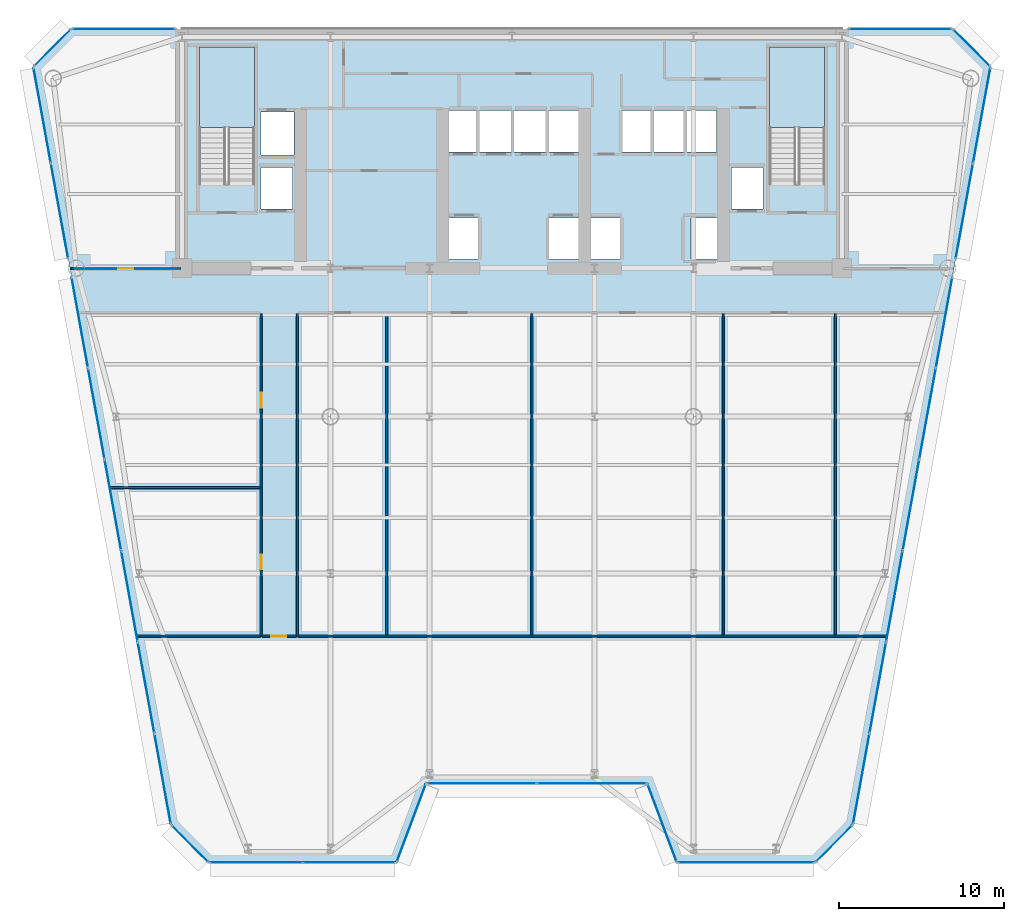
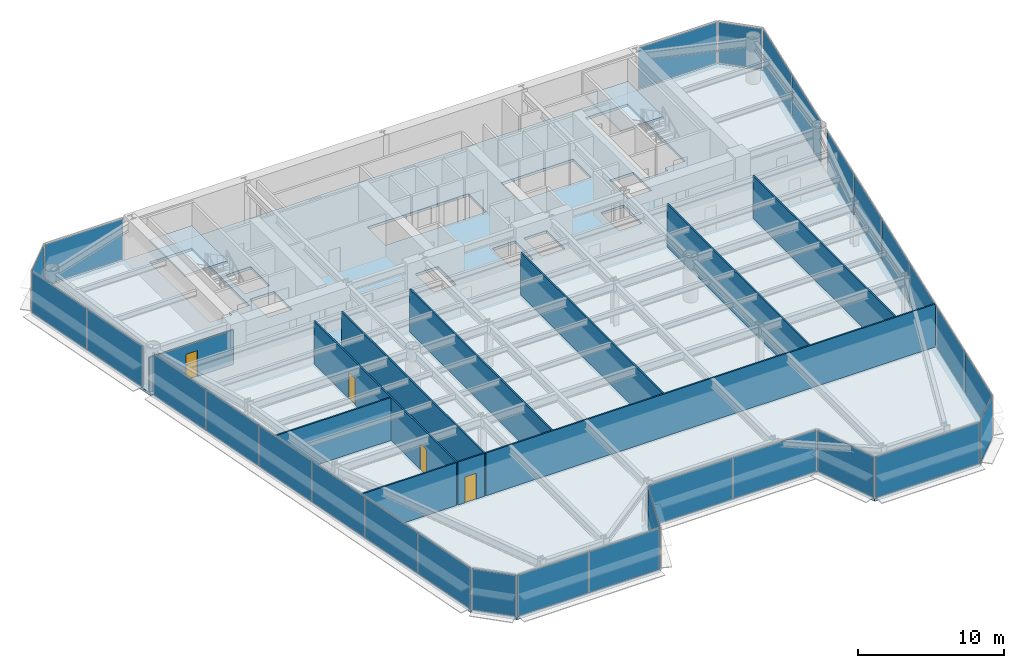
# One storey, part 7 of 14: 29 plates, 11 walls, 4 doors, 3 slabs, 4 openings, 17 elements without a shape of their own.
"""IFC4 building model written with IfcOpenShell, lengths in metres."""

from ifc_helpers import new_model, si_unit, direction, frame, frame_2d, origin, origin_2d, place, context, subcontext, project, spatial, polyline, rectangle, outline, extrude, source, transform, mapped, material, layer, layer_set, type_object, element, fill, aggregate, save


model = new_model("IFC4")

# Units and contexts
model_context = context("Model", 3, precision=1e-05, world=origin(), true_north=direction((0.0, 1.0)))
body_context = subcontext(model_context, "Body", "Model", "MODEL_VIEW")
ifc_project = project(units=[si_unit("LENGTHUNIT", "METRE"), si_unit("AREAUNIT", "SQUARE_METRE"), si_unit("VOLUMEUNIT", "CUBIC_METRE"), si_unit("PLANEANGLEUNIT", "RADIAN"), si_unit("MASSUNIT", "GRAM", prefix="KILO")], contexts=[model_context])

# Site, building, storey
site_placement = place(None, origin())
site = spatial("IfcSite", under=ifc_project, at=site_placement, CompositionType="ELEMENT")
building_placement = place(site_placement, origin())
building = spatial("IfcBuilding", under=site, at=building_placement, Name="Vaeldorn Concourse Tower", CompositionType="ELEMENT")
storey_placement = place(building_placement, frame((0.0, 0.0, 137.60009765625)))
storey = spatial("IfcBuildingStorey", under=building, at=storey_placement, Name="L35", CompositionType="ELEMENT", Elevation=137.60009765625)

# Stair, slab
ifc_material_1 = material(Name="Precast concrete C40/50", Category="concrete")
stair_type = type_object("IfcStairType", Name="STR-DOG-24x158", PredefinedType="HALF_TURN_STAIR", material=ifc_material_1)
stair_1_placement = place(storey_placement, origin())
stair_1 = element("IfcStair", 1, at=stair_1_placement, inside=storey, type_object=stair_type, Name="L35 West Core Exit Stair ST-1", PredefinedType="HALF_TURN_STAIR")
ifc_material_2 = material(Name="Concrete C40/50", Category="concrete")
ifc_layer_1 = layer(ifc_material_2, 0.199951171875)
ifc_layer_set_1 = layer_set([ifc_layer_1], Name="Concrete C40/50")
slab_type_1 = type_object("IfcSlabType", Name="SL-STAIR-LANDING", PredefinedType="LANDING", material=ifc_layer_set_1)
slab_1_placement = place(storey_placement, frame((0.0, 0.0, 1.699951171875)))
slab_1 = element("IfcSlab", 2, at=slab_1_placement, type_object=slab_type_1, Name="ST-1 landing 1", PredefinedType="LANDING", context=body_context, shape_type="SweptSolid", body=[
    extrude(outline(polyline([(18.39990234375, 45.010009765625), (18.39990234375, 49.89990234375), (15.050048828125, 49.89990234375), (15.050048828125, 45.010009765625), (18.39990234375, 45.010009765625)])), origin(), (0.0, 0.0, 1.0), 0.199951171875),
])
aggregate(stair_1, [slab_1])

stair_2_placement = place(storey_placement, origin())
stair_2 = element("IfcStair", 3, at=stair_2_placement, inside=storey, type_object=stair_type, Name="L35 East Core Exit Stair ST-2", PredefinedType="HALF_TURN_STAIR")
slab_2_placement = place(storey_placement, frame((0.0, 0.0, 1.699951171875)))
slab_2 = element("IfcSlab", 4, at=slab_2_placement, type_object=slab_type_1, Name="ST-2 landing 1", PredefinedType="LANDING", context=body_context, shape_type="SweptSolid", body=[
    extrude(outline(polyline([(52.949951171875, 45.010009765625), (52.949951171875, 49.89990234375), (49.60009765625, 49.89990234375), (49.60009765625, 45.010009765625), (52.949951171875, 45.010009765625)])), origin(), (0.0, 0.0, 1.0), 0.199951171875),
])
aggregate(stair_2, [slab_2])

# Slab
ifc_layer_2 = layer(ifc_material_2, 0.219970703125)
ifc_layer_set_2 = layer_set([ifc_layer_2], Name="Concrete C40/50")
slab_type_2 = type_object("IfcSlabType", Name="SL-TYP-220", PredefinedType="FLOOR", material=ifc_layer_set_2)
slab_3_placement = place(storey_placement, frame((0.0, 0.0, -0.22021484375)))
element("IfcSlab", 5, at=slab_3_placement, inside=storey, type_object=slab_type_2, Name="Structural Floor Slab L35", PredefinedType="FLOOR", context=body_context, shape_type="SweptSolid", body=[
    extrude(outline(polyline([(15.635986328125, 0.478271484375), (27.0, 0.478271484375), (28.800048828125, 5.2783203125), (42.199951171875, 5.2783203125), (44.0, 0.478271484375), (52.364013671875, 0.478271484375), (54.663818359375, 2.7783203125), (63.0, 48.699951171875), (60.699951171875, 51.0), (7.300048828125, 51.0), (5.0, 48.699951171875), (13.336181640625, 2.7783203125), (15.635986328125, 0.478271484375)]), holes=[polyline([(18.39990234375, 42.0), (18.39990234375, 49.89990234375), (15.050048828125, 49.89990234375), (15.050048828125, 41.60009765625), (16.800048828125, 41.60009765625), (16.800048828125, 42.0), (18.39990234375, 42.0)]), polyline([(52.949951171875, 42.0), (52.949951171875, 49.89990234375), (49.60009765625, 49.89990234375), (49.60009765625, 41.60009765625), (51.35009765625, 41.60009765625), (51.35009765625, 42.0), (52.949951171875, 42.0)]), polyline([(30.14990234375, 37.050048828125), (31.949951171875, 37.050048828125), (31.949951171875, 39.550048828125), (30.14990234375, 39.550048828125), (30.14990234375, 37.050048828125)]), polyline([(36.25, 37.050048828125), (38.050048828125, 37.050048828125), (38.050048828125, 39.550048828125), (36.25, 39.550048828125), (36.25, 37.050048828125)]), polyline([(30.10009765625, 43.550048828125), (38.10009765625, 43.550048828125), (38.10009765625, 46.050048828125), (30.10009765625, 46.050048828125), (30.10009765625, 43.550048828125)]), polyline([(38.75, 37.050048828125), (40.550048828125, 37.050048828125), (40.550048828125, 39.550048828125), (38.75, 39.550048828125), (38.75, 37.050048828125)]), polyline([(44.85009765625, 37.050048828125), (46.64990234375, 37.050048828125), (46.64990234375, 39.550048828125), (44.85009765625, 39.550048828125), (44.85009765625, 37.050048828125)]), polyline([(40.699951171875, 43.550048828125), (46.39990234375, 43.550048828125), (46.39990234375, 46.050048828125), (40.699951171875, 46.050048828125), (40.699951171875, 43.550048828125)]), polyline([(18.800048828125, 43.35009765625), (20.800048828125, 43.35009765625), (20.800048828125, 45.949951171875), (18.800048828125, 45.949951171875), (18.800048828125, 43.35009765625)]), polyline([(18.800048828125, 40.10009765625), (20.699951171875, 40.10009765625), (20.699951171875, 42.60009765625), (18.800048828125, 42.60009765625), (18.800048828125, 40.10009765625)]), polyline([(47.300048828125, 40.10009765625), (49.199951171875, 40.10009765625), (49.199951171875, 42.60009765625), (47.300048828125, 42.60009765625), (47.300048828125, 40.10009765625)])]), origin(), (0.0, 0.0, 1.0), 0.22021484375),
])

# Curtain wall, plate
ifc_material_3 = material(Name="Anodised Bronze Aluminium", Category="aluminium")
ifc_layer_3 = layer(ifc_material_3, 0.199951171875)
ifc_layer_set_3 = layer_set([ifc_layer_3], Name="Anodised Bronze Aluminium")
curtain_wall_type = type_object("IfcCurtainWallType", Name="CW-SYS-02", PredefinedType="NOTDEFINED", material=ifc_layer_set_3)
curtain_wall_1_placement = place(storey_placement, origin())
curtain_wall_1 = element("IfcCurtainWall", 6, at=curtain_wall_1_placement, inside=storey, type_object=curtain_wall_type, Name="Unitised Curtain Wall CW-L35-E02-1", PredefinedType="NOTDEFINED")
ifc_material_4 = material(Name="Bronze Tinted Low-E Insulated Glass", Category="glass")
ifc_layer_4 = layer(ifc_material_4, 0.031982421875)
ifc_layer_set_4 = layer_set([ifc_layer_4], Name="Bronze Tinted Low-E Insulated Glass")
plate_type = type_object("IfcPlateType", Name="CWP-VISION-32", PredefinedType="CURTAIN_PANEL", material=ifc_layer_set_4)
shared_shape_1 = source(origin(), body_context, "Body", "SweptSolid", [
    extrude(rectangle(XDim=4.976318359375, YDim=0.031982421875, at=origin_2d()), origin(), (0.0, 0.0, 1.0), 3.429931640625),
])
plate_1_placement = place(storey_placement, frame((27.89990234375, 2.878173828125, 0.07470703125), z_axis=(0.0, 0.0, 1.0), x_axis=(0.351123441595, 0.936329177566, 0.0)))
plate_1 = element("IfcPlate", 7, at=plate_1_placement, type_object=plate_type, Name="CW-02 panel 1.1", PredefinedType="CURTAIN_PANEL", context=body_context, shape_type="MappedRepresentation", body=[
    mapped(shared_shape_1, transform((0.0, 0.0, 0.0), scale=1.0)),
])
aggregate(curtain_wall_1, [plate_1])

curtain_wall_2_placement = place(storey_placement, origin())
curtain_wall_2 = element("IfcCurtainWall", 8, at=curtain_wall_2_placement, inside=storey, type_object=curtain_wall_type, Name="Unitised Curtain Wall CW-L35-E04-1", PredefinedType="NOTDEFINED")
plate_2_placement = place(storey_placement, frame((43.10009765625, 2.878173828125, 0.07470703125), z_axis=(0.0, 0.0, 1.0), x_axis=(0.351123441595, -0.936329177566, 0.0)))
plate_2 = element("IfcPlate", 9, at=plate_2_placement, type_object=plate_type, Name="CW-02 panel 1.1", PredefinedType="CURTAIN_PANEL", context=body_context, shape_type="MappedRepresentation", body=[
    mapped(shared_shape_1, transform((0.0, 0.0, 0.0), scale=1.0)),
])
aggregate(curtain_wall_2, [plate_2])

# Curtain wall, plates
curtain_wall_3_placement = place(storey_placement, origin())
curtain_wall_3 = element("IfcCurtainWall", 10, at=curtain_wall_3_placement, inside=storey, type_object=curtain_wall_type, Name="Unitised Curtain Wall CW-L35-E03-1", PredefinedType="NOTDEFINED")
shared_shape_2 = source(origin(), body_context, "Body", "SweptSolid", [
    extrude(rectangle(XDim=6.58740234375, YDim=0.031982421875, at=origin_2d()), origin(), (0.0, 0.0, 1.0), 3.429931640625),
])
plate_3_placement = place(storey_placement, frame((32.168701171875, 5.2783203125, 0.07470703125), z_axis=(0.0, 0.0, 1.0), x_axis=(1.0, 0.0, 0.0)))
plate_3 = element("IfcPlate", 11, at=plate_3_placement, type_object=plate_type, Name="CW-02 panel 1.1", PredefinedType="CURTAIN_PANEL", context=body_context, shape_type="MappedRepresentation", body=[
    mapped(shared_shape_2, transform((0.0, 0.0, 0.0), scale=1.0)),
])
plate_4_placement = place(storey_placement, frame((38.831298828125, 5.2783203125, 0.07470703125), z_axis=(0.0, 0.0, 1.0), x_axis=(1.0, 0.0, 0.0)))
plate_4 = element("IfcPlate", 12, at=plate_4_placement, type_object=plate_type, Name="CW-02 panel 2.1", PredefinedType="CURTAIN_PANEL", context=body_context, shape_type="MappedRepresentation", body=[
    mapped(shared_shape_2, transform((0.0, 0.0, 0.0), scale=1.0)),
])
aggregate(curtain_wall_3, [plate_3, plate_4])

# Curtain wall, plate
curtain_wall_4_placement = place(storey_placement, origin())
curtain_wall_4 = element("IfcCurtainWall", 13, at=curtain_wall_4_placement, inside=storey, type_object=curtain_wall_type, Name="Unitised Curtain Wall CW-L35-E06-1", PredefinedType="NOTDEFINED")
shared_shape_3 = source(origin(), body_context, "Body", "SweptSolid", [
    extrude(rectangle(XDim=3.102783203125, YDim=0.031982421875, at=origin_2d()), origin(), (0.0, 0.0, 1.0), 3.429931640625),
])
plate_5_placement = place(storey_placement, frame((53.513916015625, 1.628173828125, 0.07470703125), z_axis=(0.0, 0.0, 1.0), x_axis=(0.707106781187, 0.707106781187, 0.0)))
plate_5 = element("IfcPlate", 14, at=plate_5_placement, type_object=plate_type, Name="CW-02 panel 1.1", PredefinedType="CURTAIN_PANEL", context=body_context, shape_type="MappedRepresentation", body=[
    mapped(shared_shape_3, transform((0.0, 0.0, 0.0), scale=1.0)),
])
aggregate(curtain_wall_4, [plate_5])

curtain_wall_5_placement = place(storey_placement, origin())
curtain_wall_5 = element("IfcCurtainWall", 15, at=curtain_wall_5_placement, inside=storey, type_object=curtain_wall_type, Name="Unitised Curtain Wall CW-L35-E08-1", PredefinedType="NOTDEFINED")
plate_6_placement = place(storey_placement, frame((61.85009765625, 49.85009765625, 0.07470703125), z_axis=(0.0, 0.0, 1.0), x_axis=(-0.707106781187, 0.707106781187, 0.0)))
plate_6 = element("IfcPlate", 16, at=plate_6_placement, type_object=plate_type, Name="CW-02 panel 1.1", PredefinedType="CURTAIN_PANEL", context=body_context, shape_type="MappedRepresentation", body=[
    mapped(shared_shape_3, transform((0.0, 0.0, 0.0), scale=1.0)),
])
aggregate(curtain_wall_5, [plate_6])

curtain_wall_6_placement = place(storey_placement, origin())
curtain_wall_6 = element("IfcCurtainWall", 17, at=curtain_wall_6_placement, inside=storey, type_object=curtain_wall_type, Name="Unitised Curtain Wall CW-L35-E10-1", PredefinedType="NOTDEFINED")
plate_7_placement = place(storey_placement, frame((6.14990234375, 49.85009765625, 0.07470703125), z_axis=(0.0, 0.0, 1.0), x_axis=(-0.707106781187, -0.707106781187, 0.0)))
plate_7 = element("IfcPlate", 18, at=plate_7_placement, type_object=plate_type, Name="CW-02 panel 1.1", PredefinedType="CURTAIN_PANEL", context=body_context, shape_type="MappedRepresentation", body=[
    mapped(shared_shape_3, transform((0.0, 0.0, 0.0), scale=1.0)),
])
aggregate(curtain_wall_6, [plate_7])

curtain_wall_7_placement = place(storey_placement, origin())
curtain_wall_7 = element("IfcCurtainWall", 19, at=curtain_wall_7_placement, inside=storey, type_object=curtain_wall_type, Name="Unitised Curtain Wall CW-L35-E12-1", PredefinedType="NOTDEFINED")
plate_8_placement = place(storey_placement, frame((14.486083984375, 1.628173828125, 0.07470703125), z_axis=(0.0, 0.0, 1.0), x_axis=(0.707106781187, -0.707106781187, 0.0)))
plate_8 = element("IfcPlate", 20, at=plate_8_placement, type_object=plate_type, Name="CW-02 panel 1.1", PredefinedType="CURTAIN_PANEL", context=body_context, shape_type="MappedRepresentation", body=[
    mapped(shared_shape_3, transform((0.0, 0.0, 0.0), scale=1.0)),
])
aggregate(curtain_wall_7, [plate_8])

# Curtain wall, plates
curtain_wall_8_placement = place(storey_placement, origin())
curtain_wall_8 = element("IfcCurtainWall", 21, at=curtain_wall_8_placement, inside=storey, type_object=curtain_wall_type, Name="Unitised Curtain Wall CW-L35-E01-1", PredefinedType="NOTDEFINED")
shared_shape_4 = source(origin(), body_context, "Body", "SweptSolid", [
    extrude(rectangle(XDim=5.5693359375, YDim=0.031982421875, at=origin_2d()), origin(), (0.0, 0.0, 1.0), 3.429931640625),
])
plate_9_placement = place(storey_placement, frame((18.495849609375, 0.478271484375, 0.07470703125), z_axis=(0.0, 0.0, 1.0), x_axis=(1.0, 0.0, 0.0)))
plate_9 = element("IfcPlate", 22, at=plate_9_placement, type_object=plate_type, Name="CW-02 panel 1.1", PredefinedType="CURTAIN_PANEL", context=body_context, shape_type="MappedRepresentation", body=[
    mapped(shared_shape_4, transform((0.0, 0.0, 0.0), scale=1.0)),
])
plate_10_placement = place(storey_placement, frame((24.140380859375, 0.478271484375, 0.07470703125), z_axis=(0.0, 0.0, 1.0), x_axis=(1.0, 0.0, 0.0)))
plate_10 = element("IfcPlate", 23, at=plate_10_placement, type_object=plate_type, Name="CW-02 panel 2.1", PredefinedType="CURTAIN_PANEL", context=body_context, shape_type="MappedRepresentation", body=[
    mapped(shared_shape_4, transform((0.0, 0.0, 0.0), scale=1.0)),
])
aggregate(curtain_wall_8, [plate_9, plate_10])

# Curtain wall, plate
curtain_wall_9_placement = place(storey_placement, origin())
curtain_wall_9 = element("IfcCurtainWall", 24, at=curtain_wall_9_placement, inside=storey, type_object=curtain_wall_type, Name="Unitised Curtain Wall CW-L35-E05-1", PredefinedType="NOTDEFINED")
shared_shape_5 = source(origin(), body_context, "Body", "SweptSolid", [
    extrude(rectangle(XDim=8.2138671875, YDim=0.031982421875, at=origin_2d()), origin(), (0.0, 0.0, 1.0), 3.429931640625),
])
plate_11_placement = place(storey_placement, frame((48.181884765625, 0.478271484375, 0.07470703125), z_axis=(0.0, 0.0, 1.0), x_axis=(1.0, 0.0, 0.0)))
plate_11 = element("IfcPlate", 25, at=plate_11_placement, type_object=plate_type, Name="CW-02 panel 1.1", PredefinedType="CURTAIN_PANEL", context=body_context, shape_type="MappedRepresentation", body=[
    mapped(shared_shape_5, transform((0.0, 0.0, 0.0), scale=1.0)),
])
aggregate(curtain_wall_9, [plate_11])

curtain_wall_10_placement = place(storey_placement, origin())
curtain_wall_10 = element("IfcCurtainWall", 26, at=curtain_wall_10_placement, inside=storey, type_object=curtain_wall_type, Name="Unitised Curtain Wall CW-L35-E09-1", PredefinedType="NOTDEFINED")
shared_shape_6 = source(origin(), body_context, "Body", "SweptSolid", [
    extrude(rectangle(XDim=6.179931640625, YDim=0.031982421875, at=origin_2d()), origin(), (0.0, 0.0, 1.0), 3.429931640625),
])
plate_12_placement = place(storey_placement, frame((57.534912109375, 51.0, 0.07470703125), z_axis=(0.0, 0.0, 1.0), x_axis=(-1.0, 0.0, 0.0)))
plate_12 = element("IfcPlate", 27, at=plate_12_placement, type_object=plate_type, Name="CW-02 panel 1.1", PredefinedType="CURTAIN_PANEL", context=body_context, shape_type="MappedRepresentation", body=[
    mapped(shared_shape_6, transform((0.0, 0.0, 0.0), scale=1.0)),
])
aggregate(curtain_wall_10, [plate_12])

curtain_wall_11_placement = place(storey_placement, origin())
curtain_wall_11 = element("IfcCurtainWall", 28, at=curtain_wall_11_placement, inside=storey, type_object=curtain_wall_type, Name="Unitised Curtain Wall CW-L35-E09-2", PredefinedType="NOTDEFINED")
plate_13_placement = place(storey_placement, frame((10.465087890625, 51.0, 0.07470703125), z_axis=(0.0, 0.0, 1.0), x_axis=(-1.0, 0.0, 0.0)))
plate_13 = element("IfcPlate", 29, at=plate_13_placement, type_object=plate_type, Name="CW-02 panel 1.1", PredefinedType="CURTAIN_PANEL", context=body_context, shape_type="MappedRepresentation", body=[
    mapped(shared_shape_6, transform((0.0, 0.0, 0.0), scale=1.0)),
])
aggregate(curtain_wall_11, [plate_13])

# Curtain wall, plates
curtain_wall_12_placement = place(storey_placement, origin())
curtain_wall_12 = element("IfcCurtainWall", 30, at=curtain_wall_12_placement, inside=storey, type_object=curtain_wall_type, Name="Unitised Curtain Wall CW-L35-E07-2", PredefinedType="NOTDEFINED")
shared_shape_7 = source(origin(), body_context, "Body", "SweptSolid", [
    extrude(rectangle(XDim=5.823974609375, YDim=0.031982421875, at=origin_2d()), origin(), (0.0, 0.0, 1.0), 3.429931640625),
])
plate_14_placement = place(storey_placement, frame((61.412841796875, 39.95703125, 0.07470703125), z_axis=(0.0, 0.0, 1.0), x_axis=(0.178608228695, 0.983920271487, 0.0)))
plate_14 = element("IfcPlate", 31, at=plate_14_placement, type_object=plate_type, Name="CW-02 panel 1.1", PredefinedType="CURTAIN_PANEL", context=body_context, shape_type="MappedRepresentation", body=[
    mapped(shared_shape_7, transform((0.0, 0.0, 0.0), scale=1.0)),
])
plate_15_placement = place(storey_placement, frame((62.466552734375, 45.760986328125, 0.07470703125), z_axis=(0.0, 0.0, 1.0), x_axis=(0.178608228695, 0.983920271487, 0.0)))
plate_15 = element("IfcPlate", 32, at=plate_15_placement, type_object=plate_type, Name="CW-02 panel 2.1", PredefinedType="CURTAIN_PANEL", context=body_context, shape_type="MappedRepresentation", body=[
    mapped(shared_shape_7, transform((0.0, 0.0, 0.0), scale=1.0)),
])
aggregate(curtain_wall_12, [plate_14, plate_15])

curtain_wall_13_placement = place(storey_placement, origin())
curtain_wall_13 = element("IfcCurtainWall", 33, at=curtain_wall_13_placement, inside=storey, type_object=curtain_wall_type, Name="Unitised Curtain Wall CW-L35-E11-1", PredefinedType="NOTDEFINED")
plate_16_placement = place(storey_placement, frame((5.533447265625, 45.760986328125, 0.07470703125), z_axis=(0.0, 0.0, 1.0), x_axis=(0.178608228695, -0.983920271487, 0.0)))
plate_16 = element("IfcPlate", 34, at=plate_16_placement, type_object=plate_type, Name="CW-02 panel 1.1", PredefinedType="CURTAIN_PANEL", context=body_context, shape_type="MappedRepresentation", body=[
    mapped(shared_shape_7, transform((0.0, 0.0, 0.0), scale=1.0)),
])
plate_17_placement = place(storey_placement, frame((6.587158203125, 39.95703125, 0.07470703125), z_axis=(0.0, 0.0, 1.0), x_axis=(0.178608228695, -0.983920271487, 0.0)))
plate_17 = element("IfcPlate", 35, at=plate_17_placement, type_object=plate_type, Name="CW-02 panel 2.1", PredefinedType="CURTAIN_PANEL", context=body_context, shape_type="MappedRepresentation", body=[
    mapped(shared_shape_7, transform((0.0, 0.0, 0.0), scale=1.0)),
])
aggregate(curtain_wall_13, [plate_16, plate_17])

curtain_wall_14_placement = place(storey_placement, origin())
curtain_wall_14 = element("IfcCurtainWall", 36, at=curtain_wall_14_placement, inside=storey, type_object=curtain_wall_type, Name="Unitised Curtain Wall CW-L35-E07-1", PredefinedType="NOTDEFINED")
shared_shape_8 = source(origin(), body_context, "Body", "SweptSolid", [
    extrude(rectangle(XDim=5.511962890625, YDim=0.031982421875, at=origin_2d()), origin(), (0.0, 0.0, 1.0), 3.429931640625),
])
plate_18_placement = place(storey_placement, frame((55.16943359375, 5.563720703125, 0.07470703125), z_axis=(0.0, 0.0, 1.0), x_axis=(0.178608495197, 0.983920223109, 0.0)))
plate_18 = element("IfcPlate", 37, at=plate_18_placement, type_object=plate_type, Name="CW-02 panel 1.1", PredefinedType="CURTAIN_PANEL", context=body_context, shape_type="MappedRepresentation", body=[
    mapped(shared_shape_8, transform((0.0, 0.0, 0.0), scale=1.0)),
])
plate_19_placement = place(storey_placement, frame((60.185546875, 33.196533203125, 0.07470703125), z_axis=(0.0, 0.0, 1.0), x_axis=(0.178608495197, 0.983920223109, 0.0)))
plate_19 = element("IfcPlate", 38, at=plate_19_placement, type_object=plate_type, Name="CW-02 panel 6.1", PredefinedType="CURTAIN_PANEL", context=body_context, shape_type="MappedRepresentation", body=[
    mapped(shared_shape_8, transform((0.0, 0.0, 0.0), scale=1.0)),
])

curtain_wall_15_placement = place(storey_placement, origin())
curtain_wall_15 = element("IfcCurtainWall", 39, at=curtain_wall_15_placement, inside=storey, type_object=curtain_wall_type, Name="Unitised Curtain Wall CW-L35-E11-2", PredefinedType="NOTDEFINED")
plate_20_placement = place(storey_placement, frame((7.814453125, 33.196533203125, 0.07470703125), z_axis=(0.0, 0.0, 1.0), x_axis=(0.178608495197, -0.983920223109, 0.0)))
plate_20 = element("IfcPlate", 40, at=plate_20_placement, type_object=plate_type, Name="CW-02 panel 1.1", PredefinedType="CURTAIN_PANEL", context=body_context, shape_type="MappedRepresentation", body=[
    mapped(shared_shape_8, transform((0.0, 0.0, 0.0), scale=1.0)),
])
plate_21_placement = place(storey_placement, frame((12.83056640625, 5.563720703125, 0.07470703125), z_axis=(0.0, 0.0, 1.0), x_axis=(0.178608495197, -0.983920223109, 0.0)))
plate_21 = element("IfcPlate", 41, at=plate_21_placement, type_object=plate_type, Name="CW-02 panel 6.1", PredefinedType="CURTAIN_PANEL", context=body_context, shape_type="MappedRepresentation", body=[
    mapped(shared_shape_8, transform((0.0, 0.0, 0.0), scale=1.0)),
])

# Plate
shared_shape_9 = source(origin(), body_context, "Body", "SweptSolid", [
    extrude(rectangle(XDim=5.54931640625, YDim=0.031982421875, at=origin_2d()), origin(), (0.0, 0.0, 1.0), 3.429931640625),
])
plate_22_placement = place(storey_placement, frame((56.170654296875, 11.0791015625, 0.07470703125), z_axis=(0.0, 0.0, 1.0), x_axis=(0.178608495197, 0.983920223109, 0.0)))
plate_22 = element("IfcPlate", 42, at=plate_22_placement, type_object=plate_type, Name="CW-02 panel 2.1", PredefinedType="CURTAIN_PANEL", context=body_context, shape_type="MappedRepresentation", body=[
    mapped(shared_shape_9, transform((0.0, 0.0, 0.0), scale=1.0)),
])

plate_23_placement = place(storey_placement, frame((57.17529296875, 16.613037109375, 0.07470703125), z_axis=(0.0, 0.0, 1.0), x_axis=(0.178608495197, 0.983920223109, 0.0)))
plate_23 = element("IfcPlate", 43, at=plate_23_placement, type_object=plate_type, Name="CW-02 panel 3.1", PredefinedType="CURTAIN_PANEL", context=body_context, shape_type="MappedRepresentation", body=[
    mapped(shared_shape_9, transform((0.0, 0.0, 0.0), scale=1.0)),
])

plate_24_placement = place(storey_placement, frame((58.179931640625, 22.14697265625, 0.07470703125), z_axis=(0.0, 0.0, 1.0), x_axis=(0.178608495197, 0.983920223109, 0.0)))
plate_24 = element("IfcPlate", 44, at=plate_24_placement, type_object=plate_type, Name="CW-02 panel 4.1", PredefinedType="CURTAIN_PANEL", context=body_context, shape_type="MappedRepresentation", body=[
    mapped(shared_shape_9, transform((0.0, 0.0, 0.0), scale=1.0)),
])

plate_25_placement = place(storey_placement, frame((59.1845703125, 27.68115234375, 0.07470703125), z_axis=(0.0, 0.0, 1.0), x_axis=(0.178608495197, 0.983920223109, 0.0)))
plate_25 = element("IfcPlate", 45, at=plate_25_placement, type_object=plate_type, Name="CW-02 panel 5.1", PredefinedType="CURTAIN_PANEL", context=body_context, shape_type="MappedRepresentation", body=[
    mapped(shared_shape_9, transform((0.0, 0.0, 0.0), scale=1.0)),
])

aggregate(curtain_wall_14, [plate_18, plate_22, plate_23, plate_24, plate_25, plate_19])

plate_26_placement = place(storey_placement, frame((8.8154296875, 27.68115234375, 0.07470703125), z_axis=(0.0, 0.0, 1.0), x_axis=(0.178608495197, -0.983920223109, 0.0)))
plate_26 = element("IfcPlate", 46, at=plate_26_placement, type_object=plate_type, Name="CW-02 panel 2.1", PredefinedType="CURTAIN_PANEL", context=body_context, shape_type="MappedRepresentation", body=[
    mapped(shared_shape_9, transform((0.0, 0.0, 0.0), scale=1.0)),
])

plate_27_placement = place(storey_placement, frame((9.820068359375, 22.14697265625, 0.07470703125), z_axis=(0.0, 0.0, 1.0), x_axis=(0.178608495197, -0.983920223109, 0.0)))
plate_27 = element("IfcPlate", 47, at=plate_27_placement, type_object=plate_type, Name="CW-02 panel 3.1", PredefinedType="CURTAIN_PANEL", context=body_context, shape_type="MappedRepresentation", body=[
    mapped(shared_shape_9, transform((0.0, 0.0, 0.0), scale=1.0)),
])

plate_28_placement = place(storey_placement, frame((10.82470703125, 16.613037109375, 0.07470703125), z_axis=(0.0, 0.0, 1.0), x_axis=(0.178608495197, -0.983920223109, 0.0)))
plate_28 = element("IfcPlate", 48, at=plate_28_placement, type_object=plate_type, Name="CW-02 panel 4.1", PredefinedType="CURTAIN_PANEL", context=body_context, shape_type="MappedRepresentation", body=[
    mapped(shared_shape_9, transform((0.0, 0.0, 0.0), scale=1.0)),
])

plate_29_placement = place(storey_placement, frame((11.829345703125, 11.0791015625, 0.07470703125), z_axis=(0.0, 0.0, 1.0), x_axis=(0.178608495197, -0.983920223109, 0.0)))
plate_29 = element("IfcPlate", 49, at=plate_29_placement, type_object=plate_type, Name="CW-02 panel 5.1", PredefinedType="CURTAIN_PANEL", context=body_context, shape_type="MappedRepresentation", body=[
    mapped(shared_shape_9, transform((0.0, 0.0, 0.0), scale=1.0)),
])

aggregate(curtain_wall_15, [plate_20, plate_26, plate_27, plate_28, plate_29, plate_21])

# Wall, openings, doors
ifc_material_5 = material(Name="Gypsum Board Partition", Category="gypsum")
ifc_layer_5 = layer(ifc_material_5, 0.1201171875)
ifc_layer_set_5 = layer_set([ifc_layer_5], Name="Gypsum Board Partition")
wall_type = type_object("IfcWallType", Name="WL-PART-120", PredefinedType="PARTITIONING", material=ifc_layer_set_5)
wall_1_placement = place(storey_placement, frame((18.800048828125, 14.199951171875, 0.0), z_axis=(0.0, 0.0, 1.0), x_axis=(0.0, 1.0, 0.0)))
wall_1 = element("IfcWall", 50, at=wall_1_placement, inside=storey, type_object=wall_type, Name="Interior Wall PW-L35-SP2W", PredefinedType="PARTITIONING", context=body_context, shape_type="SweptSolid", body=[
    extrude(rectangle(XDim=19.5400390625, YDim=0.1201171875, at=frame_2d((9.77001953125, 0.0))), origin(), (0.0, 0.0, 1.0), 3.579833984375),
])
opening_1_placement = place(wall_1_placement, frame((4.050048828125, 0.0, 0.0)))
opening_1 = element("IfcOpeningElement", 51, at=opening_1_placement, cuts=wall_1, Name="Opening D-03", PredefinedType="OPENING", context=body_context, shape_type="SweptSolid", body=[
    extrude(rectangle(XDim=0.89990234375, YDim=2.14990234375, at=frame_2d((0.449951171875, 1.074951171875))), frame((0.0, 0.070068359375, 0.0), z_axis=(0.0, -1.0, 0.0), x_axis=(1.0, 0.0, 0.0)), (0.0, 0.0, 1.0), 0.14013671875),
])
opening_2_placement = place(wall_1_placement, frame((13.85009765625, 0.0, 0.0)))
opening_2 = element("IfcOpeningElement", 52, at=opening_2_placement, cuts=wall_1, Name="Opening D-03", PredefinedType="OPENING", context=body_context, shape_type="SweptSolid", body=[
    extrude(rectangle(XDim=0.89990234375, YDim=2.14990234375, at=frame_2d((0.449951171875, 1.074951171875))), frame((0.0, 0.070068359375, 0.0), z_axis=(0.0, -1.0, 0.0), x_axis=(1.0, 0.0, 0.0)), (0.0, 0.0, 1.0), 0.14013671875),
])
ifc_material_6 = material(Name="Acoustic Bronze-Framed Glass Door", Category="glass")
door_type = type_object("IfcDoorType", Name="DR-INT-900", OperationType="NOTDEFINED", PredefinedType="DOOR", material=ifc_material_6)
shared_shape_10 = source(origin(), body_context, "Body", "SweptSolid", [
    extrude(rectangle(XDim=0.89990234375, YDim=2.14990234375, at=frame_2d((0.449951171875, 1.074951171875))), frame((0.0, 0.02490234375, 0.0), z_axis=(0.0, -1.0, 0.0), x_axis=(1.0, 0.0, 0.0)), (0.0, 0.0, 1.0), 0.050048828125),
])
door_1_placement = place(opening_1_placement, origin())
door_1 = element("IfcDoor", 53, at=door_1_placement, inside=storey, type_object=door_type, Name="Interior Door DR-L35-Z2W1", OperationType="SINGLE_SWING_LEFT", OverallHeight=2.14990234375, OverallWidth=0.89990234375, PredefinedType="DOOR", context=body_context, shape_type="MappedRepresentation", body=[
    mapped(shared_shape_10, transform((0.0, 0.0, 0.0), scale=1.0)),
])
fill(opening_1, door_1)
door_2_placement = place(opening_2_placement, origin())
door_2 = element("IfcDoor", 54, at=door_2_placement, inside=storey, type_object=door_type, Name="Interior Door DR-L35-Z2W2", OperationType="SINGLE_SWING_RIGHT", OverallHeight=2.14990234375, OverallWidth=0.89990234375, PredefinedType="DOOR", context=body_context, shape_type="MappedRepresentation", body=[
    mapped(shared_shape_10, transform((0.0, 0.0, 0.0), scale=1.0)),
])
fill(opening_2, door_2)

# Wall
wall_2_placement = place(storey_placement, frame((21.0, 14.199951171875, 0.0), z_axis=(0.0, 0.0, 1.0), x_axis=(0.0, 1.0, 0.0)))
element("IfcWall", 55, at=wall_2_placement, inside=storey, type_object=wall_type, Name="Interior Wall PW-L35-SP2E", PredefinedType="PARTITIONING", context=body_context, shape_type="SweptSolid", body=[
    extrude(rectangle(XDim=19.5400390625, YDim=0.1201171875, at=frame_2d((9.77001953125, 0.0))), origin(), (0.0, 0.0, 1.0), 3.579833984375),
])

# Wall, opening, door
wall_3_placement = place(storey_placement, frame((18.860107421875, 14.199951171875, 0.0), z_axis=(0.0, 0.0, 1.0), x_axis=(1.0, 0.0, 0.0)))
wall_3 = element("IfcWall", 56, at=wall_3_placement, inside=storey, type_object=wall_type, Name="Interior Wall PW-L35-SP2S", PredefinedType="PARTITIONING", context=body_context, shape_type="SweptSolid", body=[
    extrude(rectangle(XDim=2.079833984375, YDim=0.1201171875, at=frame_2d((1.0400390625, 0.0))), origin(), (0.0, 0.0, 1.0), 3.579833984375),
])
opening_3_placement = place(wall_3_placement, frame((0.550048828125, 0.0, 0.0)))
opening_3 = element("IfcOpeningElement", 57, at=opening_3_placement, cuts=wall_3, Name="Opening D-03", PredefinedType="OPENING", context=body_context, shape_type="SweptSolid", body=[
    extrude(rectangle(XDim=0.89990234375, YDim=2.14990234375, at=frame_2d((0.449951171875, 1.074951171875))), frame((0.0, 0.070068359375, 0.0), z_axis=(0.0, -1.0, 0.0), x_axis=(1.0, 0.0, 0.0)), (0.0, 0.0, 1.0), 0.14013671875),
])
door_3_placement = place(opening_3_placement, origin())
door_3 = element("IfcDoor", 58, at=door_3_placement, inside=storey, type_object=door_type, Name="Interior Door DR-L35-Z2SFM", OperationType="SINGLE_SWING_LEFT", OverallHeight=2.14990234375, OverallWidth=0.89990234375, PredefinedType="DOOR", context=body_context, shape_type="MappedRepresentation", body=[
    mapped(shared_shape_10, transform((0.0, 0.0, 0.0), scale=1.0)),
])
fill(opening_3, door_3)

wall_4_placement = place(storey_placement, frame((7.263671875, 36.47998046875, 0.0), z_axis=(0.0, 0.0, 1.0), x_axis=(1.0, 0.0, 0.0)))
wall_4 = element("IfcWall", 59, at=wall_4_placement, inside=storey, type_object=wall_type, Name="Interior Wall PW-L35-NWS", PredefinedType="PARTITIONING", context=body_context, shape_type="SweptSolid", body=[
    extrude(rectangle(XDim=6.67626953125, YDim=0.1201171875, at=frame_2d((3.338134765625, 0.0))), origin(), (0.0, 0.0, 1.0), 2.869873046875),
])
opening_4_placement = place(wall_4_placement, frame((2.887939453125, 0.0, 0.0)))
opening_4 = element("IfcOpeningElement", 60, at=opening_4_placement, cuts=wall_4, Name="Opening D-03", PredefinedType="OPENING", context=body_context, shape_type="SweptSolid", body=[
    extrude(rectangle(XDim=0.89990234375, YDim=2.14990234375, at=frame_2d((0.449951171875, 1.074951171875))), frame((0.0, 0.070068359375, 0.0), z_axis=(0.0, -1.0, 0.0), x_axis=(1.0, 0.0, 0.0)), (0.0, 0.0, 1.0), 0.14013671875),
])
door_4_placement = place(opening_4_placement, origin())
door_4 = element("IfcDoor", 61, at=door_4_placement, inside=storey, type_object=door_type, Name="Interior Door DR-L35-NWC", OperationType="SINGLE_SWING_LEFT", OverallHeight=2.14990234375, OverallWidth=0.89990234375, PredefinedType="DOOR", context=body_context, shape_type="MappedRepresentation", body=[
    mapped(shared_shape_10, transform((0.0, 0.0, 0.0), scale=1.0)),
])
fill(opening_4, door_4)

# Walls
wall_5_placement = place(storey_placement, frame((11.302734375, 14.199951171875, 0.0), z_axis=(0.0, 0.0, 1.0), x_axis=(1.0, 0.0, 0.0)))
element("IfcWall", 62, at=wall_5_placement, inside=storey, type_object=wall_type, Name="Interior Wall PW-L35-S2WL", PredefinedType="PARTITIONING", context=body_context, shape_type="SweptSolid", body=[
    extrude(rectangle(XDim=7.437255859375, YDim=0.1201171875, at=frame_2d((3.71875, 0.0))), origin(), (0.0, 0.0, 1.0), 3.579833984375),
])
wall_6_placement = place(storey_placement, frame((21.06005859375, 14.199951171875, 0.0), z_axis=(0.0, 0.0, 1.0), x_axis=(1.0, 0.0, 0.0)))
element("IfcWall", 63, at=wall_6_placement, inside=storey, type_object=wall_type, Name="Interior Wall PW-L35-S2EL", PredefinedType="PARTITIONING", context=body_context, shape_type="SweptSolid", body=[
    extrude(rectangle(XDim=35.63720703125, YDim=0.1201171875, at=frame_2d((17.818603515625, 0.0))), origin(), (0.0, 0.0, 1.0), 3.579833984375),
])
wall_7_placement = place(storey_placement, frame((9.6689453125, 23.199951171875, 0.0), z_axis=(0.0, 0.0, 1.0), x_axis=(1.0, 0.0, 0.0)))
element("IfcWall", 64, at=wall_7_placement, inside=storey, type_object=wall_type, Name="Interior Wall PW-L35-Z2WY1", PredefinedType="PARTITIONING", context=body_context, shape_type="SweptSolid", body=[
    extrude(rectangle(XDim=9.071044921875, YDim=0.1201171875, at=frame_2d((4.53564453125, 0.0))), origin(), (0.0, 0.0, 1.0), 3.579833984375),
])
for number, where, z_axis, x_axis, name in (
    (65, (26.39990234375, 14.260009765625, 0.0), (0.0, 0.0, 1.0), (0.0, 1.0, 0.0), "Interior Wall PW-L35-Z2EX1"),
    (66, (35.199951171875, 14.260009765625, 0.0), (0.0, 0.0, 1.0), (0.0, 1.0, 0.0), "Interior Wall PW-L35-Z2EX2"),
    (67, (46.800048828125, 14.260009765625, 0.0), (0.0, 0.0, 1.0), (0.0, 1.0, 0.0), "Interior Wall PW-L35-Z2EX3"),
    (68, (53.60009765625, 14.260009765625, 0.0), (0.0, 0.0, 1.0), (0.0, 1.0, 0.0), "Interior Wall PW-L35-Z2EX4"),
):
    element("IfcWall", number, at=place(storey_placement, frame(where, z_axis=z_axis, x_axis=x_axis)), inside=storey, type_object=wall_type, Name=name, PredefinedType="PARTITIONING", context=body_context, shape_type="SweptSolid", body=[
        extrude(rectangle(XDim=19.47998046875, YDim=0.1201171875, at=frame_2d((9.739990234375, 0.0))), origin(), (0.0, 0.0, 1.0), 3.579833984375),
    ])

save(model, "model.ifc")
